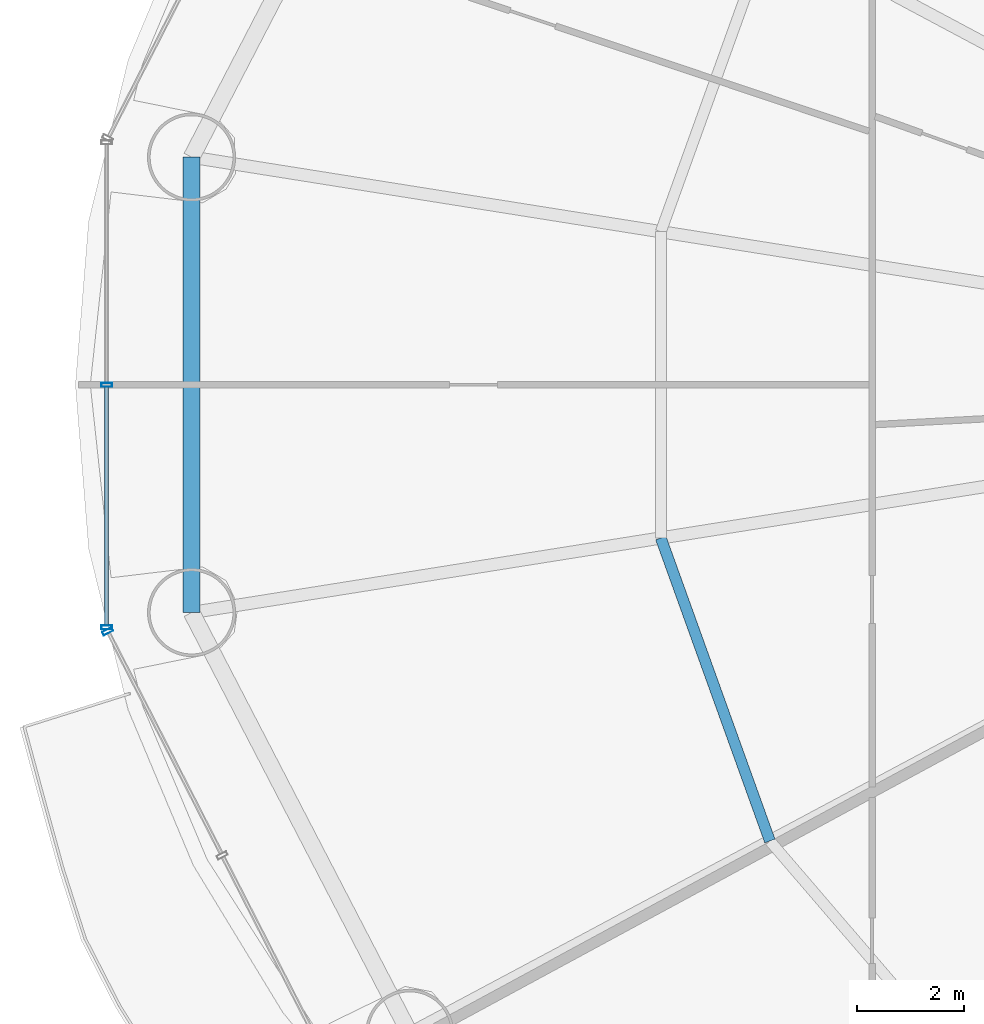
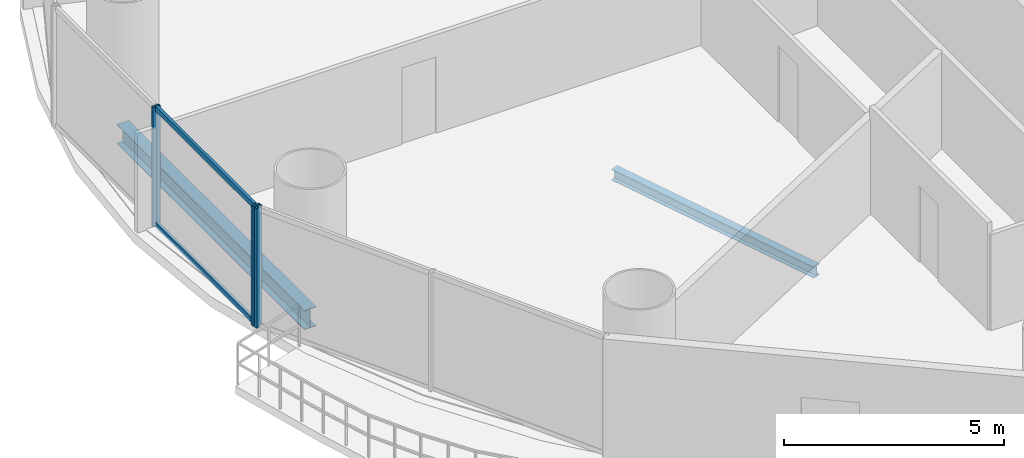
# One storey, part 7 of 30: 5 members, 2 beams, 2 elements without a shape of their own.
"""IFC4 building model written with IfcOpenShell, lengths in metres."""

from ifc_helpers import new_model, si_unit, direction, frame, origin, origin_2d, place, context, subcontext, project, spatial, hollow_rectangle, i_section, extrude, source, transform, mapped, material, material_profile, profile_set, type_object, element, aggregate, save


model = new_model("IFC4")

# Units and contexts
model_context = context("Model", 3, precision=1e-05, world=origin(), true_north=direction((-0.2419218956, 0.970295726276)))
body_context = subcontext(model_context, "Body", "Model", "MODEL_VIEW")
ifc_project = project(units=[si_unit("LENGTHUNIT", "METRE"), si_unit("AREAUNIT", "SQUARE_METRE"), si_unit("VOLUMEUNIT", "CUBIC_METRE"), si_unit("PLANEANGLEUNIT", "RADIAN"), si_unit("MASSUNIT", "GRAM", prefix="KILO")], contexts=[model_context])

# Site, building, storey
site_placement = place(None, origin())
site = spatial("IfcSite", under=ifc_project, at=site_placement, CompositionType="ELEMENT")
building_placement = place(site_placement, origin())
building = spatial("IfcBuilding", under=site, at=building_placement, Name="Cobrevalo Terracotta Tower", CompositionType="ELEMENT")
storey_placement = place(building_placement, frame((0.0, 0.0, 60.0)))
storey = spatial("IfcBuildingStorey", under=building, at=storey_placement, Name="L15", CompositionType="ELEMENT", Elevation=60.0)

# Beams
ifc_material_1 = material(Name="Steel S355", Category="steel")
ifc_material_profile_1 = material_profile(ifc_material_1, i_section(OverallWidth=0.2041015625, OverallDepth=0.305908203125, WebThickness=0.008544921875, FlangeThickness=0.0146484375, at=origin_2d()), Name="W 310x67")
ifc_profile_set_1 = profile_set([ifc_material_profile_1], Name="Steel S355")
beam_type_1 = type_object("IfcBeamType", Name="Structural Joist W 310x67 (Steel S355)", PredefinedType="JOIST", material=ifc_profile_set_1)
beam_1_placement = place(storey_placement, frame((19.960205078125, 23.933349609375, -0.43310546875), z_axis=(0.338672151116, -0.940904444701, 0.0), x_axis=(0.940904444701, 0.338672151116, 0.0)))
element("IfcBeam", 1, at=beam_1_placement, inside=storey, type_object=beam_type_1, Name="L15 circumferential secondary floor joist 09", PredefinedType="JOIST", context=body_context, shape_type="SweptSolid", body=[
    extrude(i_section(OverallWidth=0.2041015625, OverallDepth=0.305908203125, WebThickness=0.008544921875, FlangeThickness=0.0146484375, at=origin_2d()), origin(), (0.0, 0.0, 1.0), 6.029296875),
])
ifc_material_profile_2 = material_profile(ifc_material_1, i_section(OverallWidth=0.31201171875, OverallDepth=0.54296875, WebThickness=0.0126953125, FlangeThickness=0.020263671875, at=origin_2d()), Name="W 530x150")
ifc_profile_set_2 = profile_set([ifc_material_profile_2], Name="Steel S355")
beam_type_2 = type_object("IfcBeamType", Name="Structural Spandrel W 530x150 (Steel S355)", PredefinedType="SPANDREL", material=ifc_profile_set_2)
beam_2_placement = place(storey_placement, frame((11.175537109375, 31.062744140625, -0.551513671875), z_axis=(0.0, -1.0, 0.0), x_axis=(1.0, 0.0, 0.0)))
element("IfcBeam", 2, at=beam_2_placement, inside=storey, type_object=beam_type_2, Name="L15 perimeter ring spandrel 08", PredefinedType="SPANDREL", context=body_context, shape_type="SweptSolid", body=[
    extrude(i_section(OverallWidth=0.31201171875, OverallDepth=0.54296875, WebThickness=0.0126953125, FlangeThickness=0.020263671875, at=origin_2d()), origin(), (0.0, 0.0, 1.0), 8.525390625),
])

# Curtain wall, members
ifc_material_2 = material(Name="Anodized aluminium", Category="aluminium")
curtain_wall_type = type_object("IfcCurtainWallType", Name="Lower-tower unitised acoustic low-E curtain wall CW-U1", PredefinedType="NOTDEFINED", material=ifc_material_2)
curtain_wall_1_placement = place(storey_placement, origin())
curtain_wall_1 = element("IfcCurtainWall", 3, at=curtain_wall_1_placement, inside=storey, type_object=curtain_wall_type, Name="L15 curtain wall CW-L15-S08", PredefinedType="NOTDEFINED")
ifc_material_profile_3 = material_profile(ifc_material_2, hollow_rectangle(XDim=0.074951171875, YDim=0.199951171875, WallThickness=0.0048828125, at=origin_2d()), Name="CWM 75x200")
ifc_profile_set_3 = profile_set([ifc_material_profile_3], Name="Anodized aluminium")
member_type_1 = type_object("IfcMemberType", Name="Lower/mid tower unitised mullion 75x200", PredefinedType="MULLION", material=ifc_profile_set_3)
shared_shape_1 = source(origin(), body_context, "Body", "SweptSolid", [
    extrude(hollow_rectangle(XDim=0.074951171875, YDim=0.199951171875, WallThickness=0.0048828125, at=origin_2d()), origin(), (0.0, 0.0, 1.0), 3.320068359375),
])
member_1_placement = place(storey_placement, frame((9.586669921875, 26.800048828125, 0.0), z_axis=(0.0, 0.0, 1.0), x_axis=(0.0, -1.0, 0.0)))
member_1 = element("IfcMember", 4, at=member_1_placement, type_object=member_type_1, Name="CW-L15-S08 vertical mullion 02", PredefinedType="MULLION", context=body_context, shape_type="MappedRepresentation", body=[
    mapped(shared_shape_1, transform((0.0, 0.0, 0.0), scale=1.0)),
])
member_2_placement = place(storey_placement, frame((9.586669921875, 22.26123046875, 0.0), z_axis=(0.0, 0.0, 1.0), x_axis=(0.0, -1.0, 0.0)))
member_2 = element("IfcMember", 5, at=member_2_placement, type_object=member_type_1, Name="CW-L15-S08 vertical mullion 03", PredefinedType="MULLION", context=body_context, shape_type="MappedRepresentation", body=[
    mapped(shared_shape_1, transform((0.0, 0.0, 0.0), scale=1.0)),
])

# Curtain wall, member
curtain_wall_2_placement = place(storey_placement, origin())
curtain_wall_2 = element("IfcCurtainWall", 6, at=curtain_wall_2_placement, inside=storey, type_object=curtain_wall_type, Name="L15 curtain wall CW-L15-S09", PredefinedType="NOTDEFINED")
member_3_placement = place(storey_placement, frame((9.60498046875, 22.185546875, 0.0), z_axis=(0.0, 0.0, 1.0), x_axis=(0.455234136597, -0.890371765543, 0.0)))
member_3 = element("IfcMember", 7, at=member_3_placement, type_object=member_type_1, Name="CW-L15-S09 vertical mullion 01", PredefinedType="MULLION", context=body_context, shape_type="MappedRepresentation", body=[
    mapped(shared_shape_1, transform((0.0, 0.0, 0.0), scale=1.0)),
])
aggregate(curtain_wall_2, [member_3])

# Member
ifc_material_profile_4 = material_profile(ifc_material_2, hollow_rectangle(XDim=0.074951171875, YDim=0.14990234375, WallThickness=0.00439453125, at=origin_2d()), Name="CWT 75x150")
ifc_profile_set_4 = profile_set([ifc_material_profile_4], Name="Anodized aluminium")
member_type_2 = type_object("IfcMemberType", Name="Tower unitised aluminium transom 75x150", PredefinedType="USERDEFINED", material=ifc_profile_set_4)
shared_shape_2 = source(origin(), body_context, "Body", "SweptSolid", [
    extrude(hollow_rectangle(XDim=0.074951171875, YDim=0.14990234375, WallThickness=0.00439453125, at=origin_2d()), origin(), (0.0, 0.0, 1.0), 4.458740234375),
])
member_4_placement = place(storey_placement, frame((9.586669921875, 26.760009765625, 0.050048828125), z_axis=(0.0, -1.0, 0.0), x_axis=(1.0, 0.0, 0.0)))
member_4 = element("IfcMember", 8, at=member_4_placement, type_object=member_type_2, Name="CW-L15-S08 transom B02-T1", ObjectType="TRANSOM", PredefinedType="USERDEFINED", context=body_context, shape_type="MappedRepresentation", body=[
    mapped(shared_shape_2, transform((0.0, 0.0, 0.0), scale=1.0)),
])

member_5_placement = place(storey_placement, frame((9.586669921875, 26.760009765625, 3.27001953125), z_axis=(0.0, -1.0, 0.0), x_axis=(1.0, 0.0, 0.0)))
member_5 = element("IfcMember", 9, at=member_5_placement, type_object=member_type_2, Name="CW-L15-S08 transom B02-T2", ObjectType="TRANSOM", PredefinedType="USERDEFINED", context=body_context, shape_type="MappedRepresentation", body=[
    mapped(shared_shape_2, transform((0.0, 0.0, 0.0), scale=1.0)),
])

aggregate(curtain_wall_1, [member_1, member_2, member_4, member_5])

save(model, "model.ifc")
